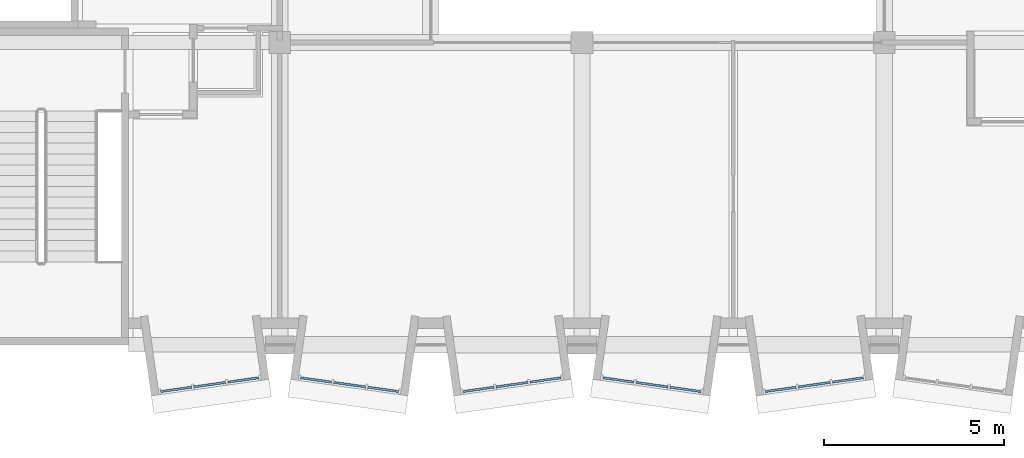
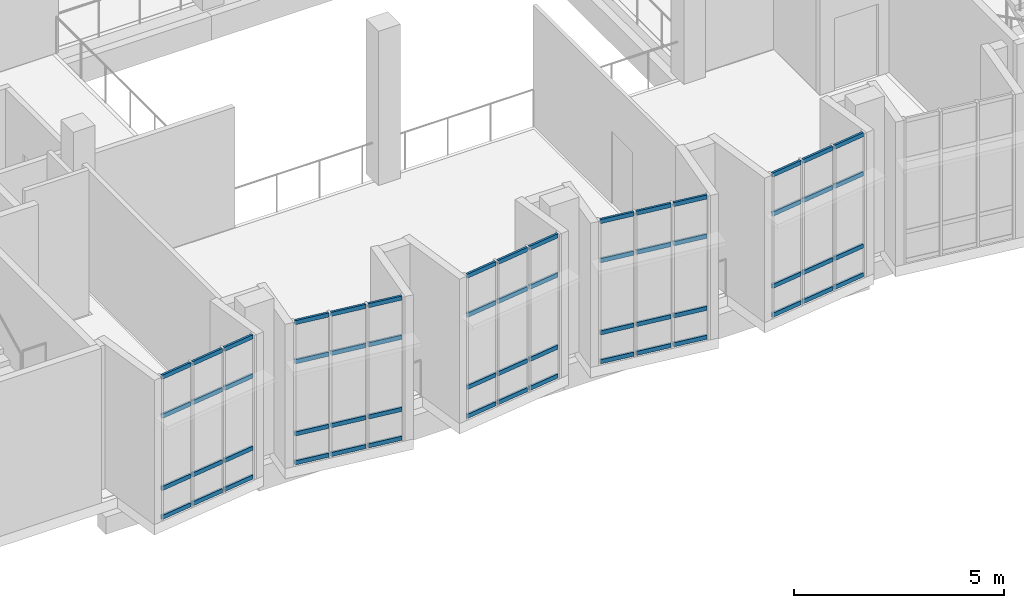
# One storey, part 56 of 95: 60 members, 5 elements without a shape of their own.
"""IFC4 building model written with IfcOpenShell, lengths in metres."""

from ifc_helpers import new_model, si_unit, direction, frame, origin, origin_2d, place, context, subcontext, project, spatial, rectangle, extrude, material, layer, layer_set, material_profile, profile_set, type_object, element, aggregate, save


model = new_model("IFC4")

# Units and contexts
model_context = context("Model", 3, precision=1e-05, world=origin(), true_north=direction((0.0, 1.0)))
body_context = subcontext(model_context, "Body", "Model", "MODEL_VIEW")
ifc_project = project(units=[si_unit("LENGTHUNIT", "METRE"), si_unit("AREAUNIT", "SQUARE_METRE"), si_unit("VOLUMEUNIT", "CUBIC_METRE"), si_unit("PLANEANGLEUNIT", "RADIAN"), si_unit("MASSUNIT", "GRAM", prefix="KILO")], contexts=[model_context])

# Site, building, storey
site_placement = place(None, origin())
site = spatial("IfcSite", under=ifc_project, at=site_placement, CompositionType="ELEMENT")
building_placement = place(site_placement, origin())
building = spatial("IfcBuilding", under=site, at=building_placement, Name="Kiln Court Media Centre", CompositionType="ELEMENT")
storey_placement = place(building_placement, frame((0.0, 0.0, 24.60009765625)))
storey = spatial("IfcBuildingStorey", under=building, at=storey_placement, Name="L05", CompositionType="ELEMENT", Elevation=24.60009765625)

# Curtain wall, members
ifc_material_1 = material(Name="Aluminium 6063-T6", Category="aluminium")
ifc_layer = layer(ifc_material_1, 0.1201171875)
ifc_layer_set = layer_set([ifc_layer], Name="Aluminium unitised bay curtain wall")
curtain_wall_type = type_object("IfcCurtainWallType", Name="Aluminium unitised bay curtain wall", PredefinedType="USERDEFINED", material=ifc_layer_set)
curtain_wall_1_placement = place(storey_placement, origin())
curtain_wall_1 = element("IfcCurtainWall", 1, at=curtain_wall_1_placement, inside=storey, type_object=curtain_wall_type, Name="BAY V6A-S-L05-32 front", ObjectType="UNITISED CURTAIN WALL", PredefinedType="USERDEFINED")
ifc_material_2 = material(Name="Aluminium 6063-T6", Category="aluminium")
ifc_material_profile = material_profile(ifc_material_2, rectangle(XDim=0.06005859375, YDim=0.1201171875, at=origin_2d()), Name="Aluminium transom 60x120")
ifc_profile_set = profile_set([ifc_material_profile], Name="Aluminium 6063-T6")
member_type = type_object("IfcMemberType", Name="Aluminium transom 60x120", PredefinedType="USERDEFINED", material=ifc_profile_set)
member_1_placement = place(storey_placement, frame((5.09423828125, -1.300537109375, 0.059814453125), z_axis=(0.990268108888, 0.139172815303, 0.0), x_axis=(-0.139172815303, 0.990268108888, 0.0)))
member_1 = element("IfcMember", 2, at=member_1_placement, type_object=member_type, Name="CW5-15 transom 1.1", ObjectType="TRANSOM", PredefinedType="USERDEFINED", context=body_context, shape_type="SweptSolid", body=[
    extrude(rectangle(XDim=0.06005859375, YDim=0.1201171875, at=origin_2d()), origin(), (0.0, 0.0, 1.0), 0.86669921875),
])
member_2_placement = place(storey_placement, frame((5.09423828125, -1.300537109375, 0.89990234375), z_axis=(0.990268108888, 0.139172815303, 0.0), x_axis=(-0.139172815303, 0.990268108888, 0.0)))
member_2 = element("IfcMember", 3, at=member_2_placement, type_object=member_type, Name="CW5-15 transom 1.2", ObjectType="TRANSOM", PredefinedType="USERDEFINED", context=body_context, shape_type="SweptSolid", body=[
    extrude(rectangle(XDim=0.06005859375, YDim=0.1201171875, at=origin_2d()), origin(), (0.0, 0.0, 1.0), 0.86669921875),
])
member_3_placement = place(storey_placement, frame((5.09423828125, -1.300537109375, 3.0), z_axis=(0.990268108888, 0.139172815303, 0.0), x_axis=(-0.139172815303, 0.990268108888, 0.0)))
member_3 = element("IfcMember", 4, at=member_3_placement, type_object=member_type, Name="CW5-15 transom 1.3", ObjectType="TRANSOM", PredefinedType="USERDEFINED", context=body_context, shape_type="SweptSolid", body=[
    extrude(rectangle(XDim=0.06005859375, YDim=0.1201171875, at=origin_2d()), origin(), (0.0, 0.0, 1.0), 0.86669921875),
])
member_4_placement = place(storey_placement, frame((5.09423828125, -1.300537109375, 4.139892578125), z_axis=(0.990268108888, 0.139172815303, 0.0), x_axis=(-0.139172815303, 0.990268108888, 0.0)))
member_4 = element("IfcMember", 5, at=member_4_placement, type_object=member_type, Name="CW5-15 transom 1.4", ObjectType="TRANSOM", PredefinedType="USERDEFINED", context=body_context, shape_type="SweptSolid", body=[
    extrude(rectangle(XDim=0.06005859375, YDim=0.1201171875, at=origin_2d()), origin(), (0.0, 0.0, 1.0), 0.86669921875),
])
member_5_placement = place(storey_placement, frame((6.011962890625, -1.17138671875, 0.059814453125), z_axis=(0.990273584723, 0.13913384707, 0.0), x_axis=(-0.13913384707, 0.990273584723, 0.0)))
member_5 = element("IfcMember", 6, at=member_5_placement, type_object=member_type, Name="CW5-15 transom 2.1", ObjectType="TRANSOM", PredefinedType="USERDEFINED", context=body_context, shape_type="SweptSolid", body=[
    extrude(rectangle(XDim=0.06005859375, YDim=0.1201171875, at=origin_2d()), origin(), (0.0, 0.0, 1.0), 0.896728515625),
])
member_6_placement = place(storey_placement, frame((6.011962890625, -1.17138671875, 0.89990234375), z_axis=(0.990273584723, 0.13913384707, 0.0), x_axis=(-0.13913384707, 0.990273584723, 0.0)))
member_6 = element("IfcMember", 7, at=member_6_placement, type_object=member_type, Name="CW5-15 transom 2.2", ObjectType="TRANSOM", PredefinedType="USERDEFINED", context=body_context, shape_type="SweptSolid", body=[
    extrude(rectangle(XDim=0.06005859375, YDim=0.1201171875, at=origin_2d()), origin(), (0.0, 0.0, 1.0), 0.896728515625),
])
member_7_placement = place(storey_placement, frame((6.011962890625, -1.17138671875, 3.0), z_axis=(0.990273584723, 0.13913384707, 0.0), x_axis=(-0.13913384707, 0.990273584723, 0.0)))
member_7 = element("IfcMember", 8, at=member_7_placement, type_object=member_type, Name="CW5-15 transom 2.3", ObjectType="TRANSOM", PredefinedType="USERDEFINED", context=body_context, shape_type="SweptSolid", body=[
    extrude(rectangle(XDim=0.06005859375, YDim=0.1201171875, at=origin_2d()), origin(), (0.0, 0.0, 1.0), 0.896728515625),
])
member_8_placement = place(storey_placement, frame((6.011962890625, -1.17138671875, 4.139892578125), z_axis=(0.990273584723, 0.13913384707, 0.0), x_axis=(-0.13913384707, 0.990273584723, 0.0)))
member_8 = element("IfcMember", 9, at=member_8_placement, type_object=member_type, Name="CW5-15 transom 2.4", ObjectType="TRANSOM", PredefinedType="USERDEFINED", context=body_context, shape_type="SweptSolid", body=[
    extrude(rectangle(XDim=0.06005859375, YDim=0.1201171875, at=origin_2d()), origin(), (0.0, 0.0, 1.0), 0.896728515625),
])
member_9_placement = place(storey_placement, frame((6.959228515625, -1.038330078125, 0.059814453125), z_axis=(0.990268108888, 0.139172815303, 0.0), x_axis=(-0.139172815303, 0.990268108888, 0.0)))
member_9 = element("IfcMember", 10, at=member_9_placement, type_object=member_type, Name="CW5-15 transom 3.1", ObjectType="TRANSOM", PredefinedType="USERDEFINED", context=body_context, shape_type="SweptSolid", body=[
    extrude(rectangle(XDim=0.06005859375, YDim=0.1201171875, at=origin_2d()), origin(), (0.0, 0.0, 1.0), 0.86669921875),
])
member_10_placement = place(storey_placement, frame((6.959228515625, -1.038330078125, 0.89990234375), z_axis=(0.990268108888, 0.139172815303, 0.0), x_axis=(-0.139172815303, 0.990268108888, 0.0)))
member_10 = element("IfcMember", 11, at=member_10_placement, type_object=member_type, Name="CW5-15 transom 3.2", ObjectType="TRANSOM", PredefinedType="USERDEFINED", context=body_context, shape_type="SweptSolid", body=[
    extrude(rectangle(XDim=0.06005859375, YDim=0.1201171875, at=origin_2d()), origin(), (0.0, 0.0, 1.0), 0.86669921875),
])
member_11_placement = place(storey_placement, frame((6.959228515625, -1.038330078125, 3.0), z_axis=(0.990268108888, 0.139172815303, 0.0), x_axis=(-0.139172815303, 0.990268108888, 0.0)))
member_11 = element("IfcMember", 12, at=member_11_placement, type_object=member_type, Name="CW5-15 transom 3.3", ObjectType="TRANSOM", PredefinedType="USERDEFINED", context=body_context, shape_type="SweptSolid", body=[
    extrude(rectangle(XDim=0.06005859375, YDim=0.1201171875, at=origin_2d()), origin(), (0.0, 0.0, 1.0), 0.86669921875),
])
member_12_placement = place(storey_placement, frame((6.959228515625, -1.038330078125, 4.139892578125), z_axis=(0.990268108888, 0.139172815303, 0.0), x_axis=(-0.139172815303, 0.990268108888, 0.0)))
member_12 = element("IfcMember", 13, at=member_12_placement, type_object=member_type, Name="CW5-15 transom 3.4", ObjectType="TRANSOM", PredefinedType="USERDEFINED", context=body_context, shape_type="SweptSolid", body=[
    extrude(rectangle(XDim=0.06005859375, YDim=0.1201171875, at=origin_2d()), origin(), (0.0, 0.0, 1.0), 0.86669921875),
])
aggregate(curtain_wall_1, [member_1, member_2, member_3, member_4, member_5, member_6, member_7, member_8, member_9, member_10, member_11, member_12])

curtain_wall_2_placement = place(storey_placement, origin())
curtain_wall_2 = element("IfcCurtainWall", 14, at=curtain_wall_2_placement, inside=storey, type_object=curtain_wall_type, Name="BAY V6A-S-L05-33 front", ObjectType="UNITISED CURTAIN WALL", PredefinedType="USERDEFINED")
member_13_placement = place(storey_placement, frame((8.982421875, -0.917724609375, 0.059814453125), z_axis=(0.990273563383, -0.139133998951, 0.0), x_axis=(0.139133998951, 0.990273563383, 0.0)))
member_13 = element("IfcMember", 15, at=member_13_placement, type_object=member_type, Name="CW5-16 transom 1.1", ObjectType="TRANSOM", PredefinedType="USERDEFINED", context=body_context, shape_type="SweptSolid", body=[
    extrude(rectangle(XDim=0.06005859375, YDim=0.1201171875, at=origin_2d()), origin(), (0.0, 0.0, 1.0), 0.866943359375),
])
member_14_placement = place(storey_placement, frame((8.982421875, -0.917724609375, 0.89990234375), z_axis=(0.990273563383, -0.139133998951, 0.0), x_axis=(0.139133998951, 0.990273563383, 0.0)))
member_14 = element("IfcMember", 16, at=member_14_placement, type_object=member_type, Name="CW5-16 transom 1.2", ObjectType="TRANSOM", PredefinedType="USERDEFINED", context=body_context, shape_type="SweptSolid", body=[
    extrude(rectangle(XDim=0.06005859375, YDim=0.1201171875, at=origin_2d()), origin(), (0.0, 0.0, 1.0), 0.866943359375),
])
member_15_placement = place(storey_placement, frame((8.982421875, -0.917724609375, 3.0), z_axis=(0.990273563383, -0.139133998951, 0.0), x_axis=(0.139133998951, 0.990273563383, 0.0)))
member_15 = element("IfcMember", 17, at=member_15_placement, type_object=member_type, Name="CW5-16 transom 1.3", ObjectType="TRANSOM", PredefinedType="USERDEFINED", context=body_context, shape_type="SweptSolid", body=[
    extrude(rectangle(XDim=0.06005859375, YDim=0.1201171875, at=origin_2d()), origin(), (0.0, 0.0, 1.0), 0.866943359375),
])
member_16_placement = place(storey_placement, frame((8.982421875, -0.917724609375, 4.139892578125), z_axis=(0.990273563383, -0.139133998951, 0.0), x_axis=(0.139133998951, 0.990273563383, 0.0)))
member_16 = element("IfcMember", 18, at=member_16_placement, type_object=member_type, Name="CW5-16 transom 1.4", ObjectType="TRANSOM", PredefinedType="USERDEFINED", context=body_context, shape_type="SweptSolid", body=[
    extrude(rectangle(XDim=0.06005859375, YDim=0.1201171875, at=origin_2d()), origin(), (0.0, 0.0, 1.0), 0.866943359375),
])
member_17_placement = place(storey_placement, frame((9.900146484375, -1.046630859375, 0.059814453125), z_axis=(0.990273584723, -0.13913384707, 0.0), x_axis=(0.13913384707, 0.990273584723, 0.0)))
member_17 = element("IfcMember", 19, at=member_17_placement, type_object=member_type, Name="CW5-16 transom 2.1", ObjectType="TRANSOM", PredefinedType="USERDEFINED", context=body_context, shape_type="SweptSolid", body=[
    extrude(rectangle(XDim=0.06005859375, YDim=0.1201171875, at=origin_2d()), origin(), (0.0, 0.0, 1.0), 0.896728515625),
])
member_18_placement = place(storey_placement, frame((9.900146484375, -1.046630859375, 0.89990234375), z_axis=(0.990273584723, -0.13913384707, 0.0), x_axis=(0.13913384707, 0.990273584723, 0.0)))
member_18 = element("IfcMember", 20, at=member_18_placement, type_object=member_type, Name="CW5-16 transom 2.2", ObjectType="TRANSOM", PredefinedType="USERDEFINED", context=body_context, shape_type="SweptSolid", body=[
    extrude(rectangle(XDim=0.06005859375, YDim=0.1201171875, at=origin_2d()), origin(), (0.0, 0.0, 1.0), 0.896728515625),
])
member_19_placement = place(storey_placement, frame((9.900146484375, -1.046630859375, 3.0), z_axis=(0.990273584723, -0.13913384707, 0.0), x_axis=(0.13913384707, 0.990273584723, 0.0)))
member_19 = element("IfcMember", 21, at=member_19_placement, type_object=member_type, Name="CW5-16 transom 2.3", ObjectType="TRANSOM", PredefinedType="USERDEFINED", context=body_context, shape_type="SweptSolid", body=[
    extrude(rectangle(XDim=0.06005859375, YDim=0.1201171875, at=origin_2d()), origin(), (0.0, 0.0, 1.0), 0.896728515625),
])
member_20_placement = place(storey_placement, frame((9.900146484375, -1.046630859375, 4.139892578125), z_axis=(0.990273584723, -0.13913384707, 0.0), x_axis=(0.13913384707, 0.990273584723, 0.0)))
member_20 = element("IfcMember", 22, at=member_20_placement, type_object=member_type, Name="CW5-16 transom 2.4", ObjectType="TRANSOM", PredefinedType="USERDEFINED", context=body_context, shape_type="SweptSolid", body=[
    extrude(rectangle(XDim=0.06005859375, YDim=0.1201171875, at=origin_2d()), origin(), (0.0, 0.0, 1.0), 0.896728515625),
])
member_21_placement = place(storey_placement, frame((10.84765625, -1.179931640625, 0.059814453125), z_axis=(0.990268108888, -0.139172815303, 0.0), x_axis=(0.139172815303, 0.990268108888, 0.0)))
member_21 = element("IfcMember", 23, at=member_21_placement, type_object=member_type, Name="CW5-16 transom 3.1", ObjectType="TRANSOM", PredefinedType="USERDEFINED", context=body_context, shape_type="SweptSolid", body=[
    extrude(rectangle(XDim=0.06005859375, YDim=0.1201171875, at=origin_2d()), origin(), (0.0, 0.0, 1.0), 0.86669921875),
])
member_22_placement = place(storey_placement, frame((10.84765625, -1.179931640625, 0.89990234375), z_axis=(0.990268108888, -0.139172815303, 0.0), x_axis=(0.139172815303, 0.990268108888, 0.0)))
member_22 = element("IfcMember", 24, at=member_22_placement, type_object=member_type, Name="CW5-16 transom 3.2", ObjectType="TRANSOM", PredefinedType="USERDEFINED", context=body_context, shape_type="SweptSolid", body=[
    extrude(rectangle(XDim=0.06005859375, YDim=0.1201171875, at=origin_2d()), origin(), (0.0, 0.0, 1.0), 0.86669921875),
])
member_23_placement = place(storey_placement, frame((10.84765625, -1.179931640625, 3.0), z_axis=(0.990268108888, -0.139172815303, 0.0), x_axis=(0.139172815303, 0.990268108888, 0.0)))
member_23 = element("IfcMember", 25, at=member_23_placement, type_object=member_type, Name="CW5-16 transom 3.3", ObjectType="TRANSOM", PredefinedType="USERDEFINED", context=body_context, shape_type="SweptSolid", body=[
    extrude(rectangle(XDim=0.06005859375, YDim=0.1201171875, at=origin_2d()), origin(), (0.0, 0.0, 1.0), 0.86669921875),
])
member_24_placement = place(storey_placement, frame((10.84765625, -1.179931640625, 4.139892578125), z_axis=(0.990268108888, -0.139172815303, 0.0), x_axis=(0.139172815303, 0.990268108888, 0.0)))
member_24 = element("IfcMember", 26, at=member_24_placement, type_object=member_type, Name="CW5-16 transom 3.4", ObjectType="TRANSOM", PredefinedType="USERDEFINED", context=body_context, shape_type="SweptSolid", body=[
    extrude(rectangle(XDim=0.06005859375, YDim=0.1201171875, at=origin_2d()), origin(), (0.0, 0.0, 1.0), 0.86669921875),
])
aggregate(curtain_wall_2, [member_13, member_14, member_15, member_16, member_17, member_18, member_19, member_20, member_21, member_22, member_23, member_24])

curtain_wall_3_placement = place(storey_placement, origin())
curtain_wall_3 = element("IfcCurtainWall", 27, at=curtain_wall_3_placement, inside=storey, type_object=curtain_wall_type, Name="BAY V6A-S-L05-34 front", ObjectType="UNITISED CURTAIN WALL", PredefinedType="USERDEFINED")
member_25_placement = place(storey_placement, frame((13.494140625, -1.300537109375, 0.059814453125), z_axis=(0.990273563383, 0.139133998951, 0.0), x_axis=(-0.139133998951, 0.990273563383, 0.0)))
member_25 = element("IfcMember", 28, at=member_25_placement, type_object=member_type, Name="CW5-17 transom 1.1", ObjectType="TRANSOM", PredefinedType="USERDEFINED", context=body_context, shape_type="SweptSolid", body=[
    extrude(rectangle(XDim=0.06005859375, YDim=0.1201171875, at=origin_2d()), origin(), (0.0, 0.0, 1.0), 0.866943359375),
])
member_26_placement = place(storey_placement, frame((13.494140625, -1.300537109375, 0.89990234375), z_axis=(0.990273563383, 0.139133998951, 0.0), x_axis=(-0.139133998951, 0.990273563383, 0.0)))
member_26 = element("IfcMember", 29, at=member_26_placement, type_object=member_type, Name="CW5-17 transom 1.2", ObjectType="TRANSOM", PredefinedType="USERDEFINED", context=body_context, shape_type="SweptSolid", body=[
    extrude(rectangle(XDim=0.06005859375, YDim=0.1201171875, at=origin_2d()), origin(), (0.0, 0.0, 1.0), 0.866943359375),
])
member_27_placement = place(storey_placement, frame((13.494140625, -1.300537109375, 3.0), z_axis=(0.990273563383, 0.139133998951, 0.0), x_axis=(-0.139133998951, 0.990273563383, 0.0)))
member_27 = element("IfcMember", 30, at=member_27_placement, type_object=member_type, Name="CW5-17 transom 1.3", ObjectType="TRANSOM", PredefinedType="USERDEFINED", context=body_context, shape_type="SweptSolid", body=[
    extrude(rectangle(XDim=0.06005859375, YDim=0.1201171875, at=origin_2d()), origin(), (0.0, 0.0, 1.0), 0.866943359375),
])
member_28_placement = place(storey_placement, frame((13.494140625, -1.300537109375, 4.139892578125), z_axis=(0.990273563383, 0.139133998951, 0.0), x_axis=(-0.139133998951, 0.990273563383, 0.0)))
member_28 = element("IfcMember", 31, at=member_28_placement, type_object=member_type, Name="CW5-17 transom 1.4", ObjectType="TRANSOM", PredefinedType="USERDEFINED", context=body_context, shape_type="SweptSolid", body=[
    extrude(rectangle(XDim=0.06005859375, YDim=0.1201171875, at=origin_2d()), origin(), (0.0, 0.0, 1.0), 0.866943359375),
])
member_29_placement = place(storey_placement, frame((14.411865234375, -1.17138671875, 0.059814453125), z_axis=(0.990273584723, 0.13913384707, 0.0), x_axis=(-0.13913384707, 0.990273584723, 0.0)))
member_29 = element("IfcMember", 32, at=member_29_placement, type_object=member_type, Name="CW5-17 transom 2.1", ObjectType="TRANSOM", PredefinedType="USERDEFINED", context=body_context, shape_type="SweptSolid", body=[
    extrude(rectangle(XDim=0.06005859375, YDim=0.1201171875, at=origin_2d()), origin(), (0.0, 0.0, 1.0), 0.896728515625),
])
member_30_placement = place(storey_placement, frame((14.411865234375, -1.17138671875, 0.89990234375), z_axis=(0.990273584723, 0.13913384707, 0.0), x_axis=(-0.13913384707, 0.990273584723, 0.0)))
member_30 = element("IfcMember", 33, at=member_30_placement, type_object=member_type, Name="CW5-17 transom 2.2", ObjectType="TRANSOM", PredefinedType="USERDEFINED", context=body_context, shape_type="SweptSolid", body=[
    extrude(rectangle(XDim=0.06005859375, YDim=0.1201171875, at=origin_2d()), origin(), (0.0, 0.0, 1.0), 0.896728515625),
])
member_31_placement = place(storey_placement, frame((14.411865234375, -1.17138671875, 3.0), z_axis=(0.990273584723, 0.13913384707, 0.0), x_axis=(-0.13913384707, 0.990273584723, 0.0)))
member_31 = element("IfcMember", 34, at=member_31_placement, type_object=member_type, Name="CW5-17 transom 2.3", ObjectType="TRANSOM", PredefinedType="USERDEFINED", context=body_context, shape_type="SweptSolid", body=[
    extrude(rectangle(XDim=0.06005859375, YDim=0.1201171875, at=origin_2d()), origin(), (0.0, 0.0, 1.0), 0.896728515625),
])
member_32_placement = place(storey_placement, frame((14.411865234375, -1.17138671875, 4.139892578125), z_axis=(0.990273584723, 0.13913384707, 0.0), x_axis=(-0.13913384707, 0.990273584723, 0.0)))
member_32 = element("IfcMember", 35, at=member_32_placement, type_object=member_type, Name="CW5-17 transom 2.4", ObjectType="TRANSOM", PredefinedType="USERDEFINED", context=body_context, shape_type="SweptSolid", body=[
    extrude(rectangle(XDim=0.06005859375, YDim=0.1201171875, at=origin_2d()), origin(), (0.0, 0.0, 1.0), 0.896728515625),
])
member_33_placement = place(storey_placement, frame((15.359130859375, -1.038330078125, 0.059814453125), z_axis=(0.990273563383, 0.139133998951, 0.0), x_axis=(-0.139133998951, 0.990273563383, 0.0)))
member_33 = element("IfcMember", 36, at=member_33_placement, type_object=member_type, Name="CW5-17 transom 3.1", ObjectType="TRANSOM", PredefinedType="USERDEFINED", context=body_context, shape_type="SweptSolid", body=[
    extrude(rectangle(XDim=0.06005859375, YDim=0.1201171875, at=origin_2d()), origin(), (0.0, 0.0, 1.0), 0.866943359375),
])
member_34_placement = place(storey_placement, frame((15.359130859375, -1.038330078125, 0.89990234375), z_axis=(0.990273563383, 0.139133998951, 0.0), x_axis=(-0.139133998951, 0.990273563383, 0.0)))
member_34 = element("IfcMember", 37, at=member_34_placement, type_object=member_type, Name="CW5-17 transom 3.2", ObjectType="TRANSOM", PredefinedType="USERDEFINED", context=body_context, shape_type="SweptSolid", body=[
    extrude(rectangle(XDim=0.06005859375, YDim=0.1201171875, at=origin_2d()), origin(), (0.0, 0.0, 1.0), 0.866943359375),
])
member_35_placement = place(storey_placement, frame((15.359130859375, -1.038330078125, 3.0), z_axis=(0.990273563383, 0.139133998951, 0.0), x_axis=(-0.139133998951, 0.990273563383, 0.0)))
member_35 = element("IfcMember", 38, at=member_35_placement, type_object=member_type, Name="CW5-17 transom 3.3", ObjectType="TRANSOM", PredefinedType="USERDEFINED", context=body_context, shape_type="SweptSolid", body=[
    extrude(rectangle(XDim=0.06005859375, YDim=0.1201171875, at=origin_2d()), origin(), (0.0, 0.0, 1.0), 0.866943359375),
])
member_36_placement = place(storey_placement, frame((15.359130859375, -1.038330078125, 4.139892578125), z_axis=(0.990273563383, 0.139133998951, 0.0), x_axis=(-0.139133998951, 0.990273563383, 0.0)))
member_36 = element("IfcMember", 39, at=member_36_placement, type_object=member_type, Name="CW5-17 transom 3.4", ObjectType="TRANSOM", PredefinedType="USERDEFINED", context=body_context, shape_type="SweptSolid", body=[
    extrude(rectangle(XDim=0.06005859375, YDim=0.1201171875, at=origin_2d()), origin(), (0.0, 0.0, 1.0), 0.866943359375),
])
aggregate(curtain_wall_3, [member_25, member_26, member_27, member_28, member_29, member_30, member_31, member_32, member_33, member_34, member_35, member_36])

curtain_wall_4_placement = place(storey_placement, origin())
curtain_wall_4 = element("IfcCurtainWall", 40, at=curtain_wall_4_placement, inside=storey, type_object=curtain_wall_type, Name="BAY V6A-S-L05-35 front", ObjectType="UNITISED CURTAIN WALL", PredefinedType="USERDEFINED")
member_37_placement = place(storey_placement, frame((17.382568359375, -0.917724609375, 0.059814453125), z_axis=(0.990268108888, -0.139172815303, 0.0), x_axis=(0.139172815303, 0.990268108888, 0.0)))
member_37 = element("IfcMember", 41, at=member_37_placement, type_object=member_type, Name="CW5-18 transom 1.1", ObjectType="TRANSOM", PredefinedType="USERDEFINED", context=body_context, shape_type="SweptSolid", body=[
    extrude(rectangle(XDim=0.06005859375, YDim=0.1201171875, at=origin_2d()), origin(), (0.0, 0.0, 1.0), 0.86669921875),
])
member_38_placement = place(storey_placement, frame((17.382568359375, -0.917724609375, 0.89990234375), z_axis=(0.990268108888, -0.139172815303, 0.0), x_axis=(0.139172815303, 0.990268108888, 0.0)))
member_38 = element("IfcMember", 42, at=member_38_placement, type_object=member_type, Name="CW5-18 transom 1.2", ObjectType="TRANSOM", PredefinedType="USERDEFINED", context=body_context, shape_type="SweptSolid", body=[
    extrude(rectangle(XDim=0.06005859375, YDim=0.1201171875, at=origin_2d()), origin(), (0.0, 0.0, 1.0), 0.86669921875),
])
member_39_placement = place(storey_placement, frame((17.382568359375, -0.917724609375, 3.0), z_axis=(0.990268108888, -0.139172815303, 0.0), x_axis=(0.139172815303, 0.990268108888, 0.0)))
member_39 = element("IfcMember", 43, at=member_39_placement, type_object=member_type, Name="CW5-18 transom 1.3", ObjectType="TRANSOM", PredefinedType="USERDEFINED", context=body_context, shape_type="SweptSolid", body=[
    extrude(rectangle(XDim=0.06005859375, YDim=0.1201171875, at=origin_2d()), origin(), (0.0, 0.0, 1.0), 0.86669921875),
])
member_40_placement = place(storey_placement, frame((17.382568359375, -0.917724609375, 4.139892578125), z_axis=(0.990268108888, -0.139172815303, 0.0), x_axis=(0.139172815303, 0.990268108888, 0.0)))
member_40 = element("IfcMember", 44, at=member_40_placement, type_object=member_type, Name="CW5-18 transom 1.4", ObjectType="TRANSOM", PredefinedType="USERDEFINED", context=body_context, shape_type="SweptSolid", body=[
    extrude(rectangle(XDim=0.06005859375, YDim=0.1201171875, at=origin_2d()), origin(), (0.0, 0.0, 1.0), 0.86669921875),
])
member_41_placement = place(storey_placement, frame((18.30029296875, -1.046630859375, 0.059814453125), z_axis=(0.990273584723, -0.13913384707, 0.0), x_axis=(0.13913384707, 0.990273584723, 0.0)))
member_41 = element("IfcMember", 45, at=member_41_placement, type_object=member_type, Name="CW5-18 transom 2.1", ObjectType="TRANSOM", PredefinedType="USERDEFINED", context=body_context, shape_type="SweptSolid", body=[
    extrude(rectangle(XDim=0.06005859375, YDim=0.1201171875, at=origin_2d()), origin(), (0.0, 0.0, 1.0), 0.896728515625),
])
member_42_placement = place(storey_placement, frame((18.30029296875, -1.046630859375, 0.89990234375), z_axis=(0.990273584723, -0.13913384707, 0.0), x_axis=(0.13913384707, 0.990273584723, 0.0)))
member_42 = element("IfcMember", 46, at=member_42_placement, type_object=member_type, Name="CW5-18 transom 2.2", ObjectType="TRANSOM", PredefinedType="USERDEFINED", context=body_context, shape_type="SweptSolid", body=[
    extrude(rectangle(XDim=0.06005859375, YDim=0.1201171875, at=origin_2d()), origin(), (0.0, 0.0, 1.0), 0.896728515625),
])
member_43_placement = place(storey_placement, frame((18.30029296875, -1.046630859375, 3.0), z_axis=(0.990273584723, -0.13913384707, 0.0), x_axis=(0.13913384707, 0.990273584723, 0.0)))
member_43 = element("IfcMember", 47, at=member_43_placement, type_object=member_type, Name="CW5-18 transom 2.3", ObjectType="TRANSOM", PredefinedType="USERDEFINED", context=body_context, shape_type="SweptSolid", body=[
    extrude(rectangle(XDim=0.06005859375, YDim=0.1201171875, at=origin_2d()), origin(), (0.0, 0.0, 1.0), 0.896728515625),
])
member_44_placement = place(storey_placement, frame((18.30029296875, -1.046630859375, 4.139892578125), z_axis=(0.990273584723, -0.13913384707, 0.0), x_axis=(0.13913384707, 0.990273584723, 0.0)))
member_44 = element("IfcMember", 48, at=member_44_placement, type_object=member_type, Name="CW5-18 transom 2.4", ObjectType="TRANSOM", PredefinedType="USERDEFINED", context=body_context, shape_type="SweptSolid", body=[
    extrude(rectangle(XDim=0.06005859375, YDim=0.1201171875, at=origin_2d()), origin(), (0.0, 0.0, 1.0), 0.896728515625),
])
member_45_placement = place(storey_placement, frame((19.24755859375, -1.179931640625, 0.059814453125), z_axis=(0.990268108888, -0.139172815303, 0.0), x_axis=(0.139172815303, 0.990268108888, 0.0)))
member_45 = element("IfcMember", 49, at=member_45_placement, type_object=member_type, Name="CW5-18 transom 3.1", ObjectType="TRANSOM", PredefinedType="USERDEFINED", context=body_context, shape_type="SweptSolid", body=[
    extrude(rectangle(XDim=0.06005859375, YDim=0.1201171875, at=origin_2d()), origin(), (0.0, 0.0, 1.0), 0.86669921875),
])
member_46_placement = place(storey_placement, frame((19.24755859375, -1.179931640625, 0.89990234375), z_axis=(0.990268108888, -0.139172815303, 0.0), x_axis=(0.139172815303, 0.990268108888, 0.0)))
member_46 = element("IfcMember", 50, at=member_46_placement, type_object=member_type, Name="CW5-18 transom 3.2", ObjectType="TRANSOM", PredefinedType="USERDEFINED", context=body_context, shape_type="SweptSolid", body=[
    extrude(rectangle(XDim=0.06005859375, YDim=0.1201171875, at=origin_2d()), origin(), (0.0, 0.0, 1.0), 0.86669921875),
])
member_47_placement = place(storey_placement, frame((19.24755859375, -1.179931640625, 3.0), z_axis=(0.990268108888, -0.139172815303, 0.0), x_axis=(0.139172815303, 0.990268108888, 0.0)))
member_47 = element("IfcMember", 51, at=member_47_placement, type_object=member_type, Name="CW5-18 transom 3.3", ObjectType="TRANSOM", PredefinedType="USERDEFINED", context=body_context, shape_type="SweptSolid", body=[
    extrude(rectangle(XDim=0.06005859375, YDim=0.1201171875, at=origin_2d()), origin(), (0.0, 0.0, 1.0), 0.86669921875),
])
member_48_placement = place(storey_placement, frame((19.24755859375, -1.179931640625, 4.139892578125), z_axis=(0.990268108888, -0.139172815303, 0.0), x_axis=(0.139172815303, 0.990268108888, 0.0)))
member_48 = element("IfcMember", 52, at=member_48_placement, type_object=member_type, Name="CW5-18 transom 3.4", ObjectType="TRANSOM", PredefinedType="USERDEFINED", context=body_context, shape_type="SweptSolid", body=[
    extrude(rectangle(XDim=0.06005859375, YDim=0.1201171875, at=origin_2d()), origin(), (0.0, 0.0, 1.0), 0.86669921875),
])
aggregate(curtain_wall_4, [member_37, member_38, member_39, member_40, member_41, member_42, member_43, member_44, member_45, member_46, member_47, member_48])

curtain_wall_5_placement = place(storey_placement, origin())
curtain_wall_5 = element("IfcCurtainWall", 53, at=curtain_wall_5_placement, inside=storey, type_object=curtain_wall_type, Name="BAY V6A-S-L05-36 front", ObjectType="UNITISED CURTAIN WALL", PredefinedType="USERDEFINED")
member_49_placement = place(storey_placement, frame((21.894287109375, -1.300537109375, 0.059814453125), z_axis=(0.990268108888, 0.139172815303, 0.0), x_axis=(-0.139172815303, 0.990268108888, 0.0)))
member_49 = element("IfcMember", 54, at=member_49_placement, type_object=member_type, Name="CW5-19 transom 1.1", ObjectType="TRANSOM", PredefinedType="USERDEFINED", context=body_context, shape_type="SweptSolid", body=[
    extrude(rectangle(XDim=0.06005859375, YDim=0.1201171875, at=origin_2d()), origin(), (0.0, 0.0, 1.0), 0.86669921875),
])
member_50_placement = place(storey_placement, frame((21.894287109375, -1.300537109375, 0.89990234375), z_axis=(0.990268108888, 0.139172815303, 0.0), x_axis=(-0.139172815303, 0.990268108888, 0.0)))
member_50 = element("IfcMember", 55, at=member_50_placement, type_object=member_type, Name="CW5-19 transom 1.2", ObjectType="TRANSOM", PredefinedType="USERDEFINED", context=body_context, shape_type="SweptSolid", body=[
    extrude(rectangle(XDim=0.06005859375, YDim=0.1201171875, at=origin_2d()), origin(), (0.0, 0.0, 1.0), 0.86669921875),
])
member_51_placement = place(storey_placement, frame((21.894287109375, -1.300537109375, 3.0), z_axis=(0.990268108888, 0.139172815303, 0.0), x_axis=(-0.139172815303, 0.990268108888, 0.0)))
member_51 = element("IfcMember", 56, at=member_51_placement, type_object=member_type, Name="CW5-19 transom 1.3", ObjectType="TRANSOM", PredefinedType="USERDEFINED", context=body_context, shape_type="SweptSolid", body=[
    extrude(rectangle(XDim=0.06005859375, YDim=0.1201171875, at=origin_2d()), origin(), (0.0, 0.0, 1.0), 0.86669921875),
])
member_52_placement = place(storey_placement, frame((21.894287109375, -1.300537109375, 4.139892578125), z_axis=(0.990268108888, 0.139172815303, 0.0), x_axis=(-0.139172815303, 0.990268108888, 0.0)))
member_52 = element("IfcMember", 57, at=member_52_placement, type_object=member_type, Name="CW5-19 transom 1.4", ObjectType="TRANSOM", PredefinedType="USERDEFINED", context=body_context, shape_type="SweptSolid", body=[
    extrude(rectangle(XDim=0.06005859375, YDim=0.1201171875, at=origin_2d()), origin(), (0.0, 0.0, 1.0), 0.86669921875),
])
member_53_placement = place(storey_placement, frame((22.811767578125, -1.17138671875, 0.059814453125), z_axis=(0.990273584723, 0.13913384707, 0.0), x_axis=(-0.13913384707, 0.990273584723, 0.0)))
member_53 = element("IfcMember", 58, at=member_53_placement, type_object=member_type, Name="CW5-19 transom 2.1", ObjectType="TRANSOM", PredefinedType="USERDEFINED", context=body_context, shape_type="SweptSolid", body=[
    extrude(rectangle(XDim=0.06005859375, YDim=0.1201171875, at=origin_2d()), origin(), (0.0, 0.0, 1.0), 0.896728515625),
])
member_54_placement = place(storey_placement, frame((22.811767578125, -1.17138671875, 0.89990234375), z_axis=(0.990273584723, 0.13913384707, 0.0), x_axis=(-0.13913384707, 0.990273584723, 0.0)))
member_54 = element("IfcMember", 59, at=member_54_placement, type_object=member_type, Name="CW5-19 transom 2.2", ObjectType="TRANSOM", PredefinedType="USERDEFINED", context=body_context, shape_type="SweptSolid", body=[
    extrude(rectangle(XDim=0.06005859375, YDim=0.1201171875, at=origin_2d()), origin(), (0.0, 0.0, 1.0), 0.896728515625),
])
member_55_placement = place(storey_placement, frame((22.811767578125, -1.17138671875, 3.0), z_axis=(0.990273584723, 0.13913384707, 0.0), x_axis=(-0.13913384707, 0.990273584723, 0.0)))
member_55 = element("IfcMember", 60, at=member_55_placement, type_object=member_type, Name="CW5-19 transom 2.3", ObjectType="TRANSOM", PredefinedType="USERDEFINED", context=body_context, shape_type="SweptSolid", body=[
    extrude(rectangle(XDim=0.06005859375, YDim=0.1201171875, at=origin_2d()), origin(), (0.0, 0.0, 1.0), 0.896728515625),
])
member_56_placement = place(storey_placement, frame((22.811767578125, -1.17138671875, 4.139892578125), z_axis=(0.990273584723, 0.13913384707, 0.0), x_axis=(-0.13913384707, 0.990273584723, 0.0)))
member_56 = element("IfcMember", 61, at=member_56_placement, type_object=member_type, Name="CW5-19 transom 2.4", ObjectType="TRANSOM", PredefinedType="USERDEFINED", context=body_context, shape_type="SweptSolid", body=[
    extrude(rectangle(XDim=0.06005859375, YDim=0.1201171875, at=origin_2d()), origin(), (0.0, 0.0, 1.0), 0.896728515625),
])
member_57_placement = place(storey_placement, frame((23.75927734375, -1.038330078125, 0.059814453125), z_axis=(0.990268108888, 0.139172815303, 0.0), x_axis=(-0.139172815303, 0.990268108888, 0.0)))
member_57 = element("IfcMember", 62, at=member_57_placement, type_object=member_type, Name="CW5-19 transom 3.1", ObjectType="TRANSOM", PredefinedType="USERDEFINED", context=body_context, shape_type="SweptSolid", body=[
    extrude(rectangle(XDim=0.06005859375, YDim=0.1201171875, at=origin_2d()), origin(), (0.0, 0.0, 1.0), 0.86669921875),
])
member_58_placement = place(storey_placement, frame((23.75927734375, -1.038330078125, 0.89990234375), z_axis=(0.990268108888, 0.139172815303, 0.0), x_axis=(-0.139172815303, 0.990268108888, 0.0)))
member_58 = element("IfcMember", 63, at=member_58_placement, type_object=member_type, Name="CW5-19 transom 3.2", ObjectType="TRANSOM", PredefinedType="USERDEFINED", context=body_context, shape_type="SweptSolid", body=[
    extrude(rectangle(XDim=0.06005859375, YDim=0.1201171875, at=origin_2d()), origin(), (0.0, 0.0, 1.0), 0.86669921875),
])
member_59_placement = place(storey_placement, frame((23.75927734375, -1.038330078125, 3.0), z_axis=(0.990268108888, 0.139172815303, 0.0), x_axis=(-0.139172815303, 0.990268108888, 0.0)))
member_59 = element("IfcMember", 64, at=member_59_placement, type_object=member_type, Name="CW5-19 transom 3.3", ObjectType="TRANSOM", PredefinedType="USERDEFINED", context=body_context, shape_type="SweptSolid", body=[
    extrude(rectangle(XDim=0.06005859375, YDim=0.1201171875, at=origin_2d()), origin(), (0.0, 0.0, 1.0), 0.86669921875),
])
member_60_placement = place(storey_placement, frame((23.75927734375, -1.038330078125, 4.139892578125), z_axis=(0.990268108888, 0.139172815303, 0.0), x_axis=(-0.139172815303, 0.990268108888, 0.0)))
member_60 = element("IfcMember", 65, at=member_60_placement, type_object=member_type, Name="CW5-19 transom 3.4", ObjectType="TRANSOM", PredefinedType="USERDEFINED", context=body_context, shape_type="SweptSolid", body=[
    extrude(rectangle(XDim=0.06005859375, YDim=0.1201171875, at=origin_2d()), origin(), (0.0, 0.0, 1.0), 0.86669921875),
])
aggregate(curtain_wall_5, [member_49, member_50, member_51, member_52, member_53, member_54, member_55, member_56, member_57, member_58, member_59, member_60])

save(model, "model.ifc")
